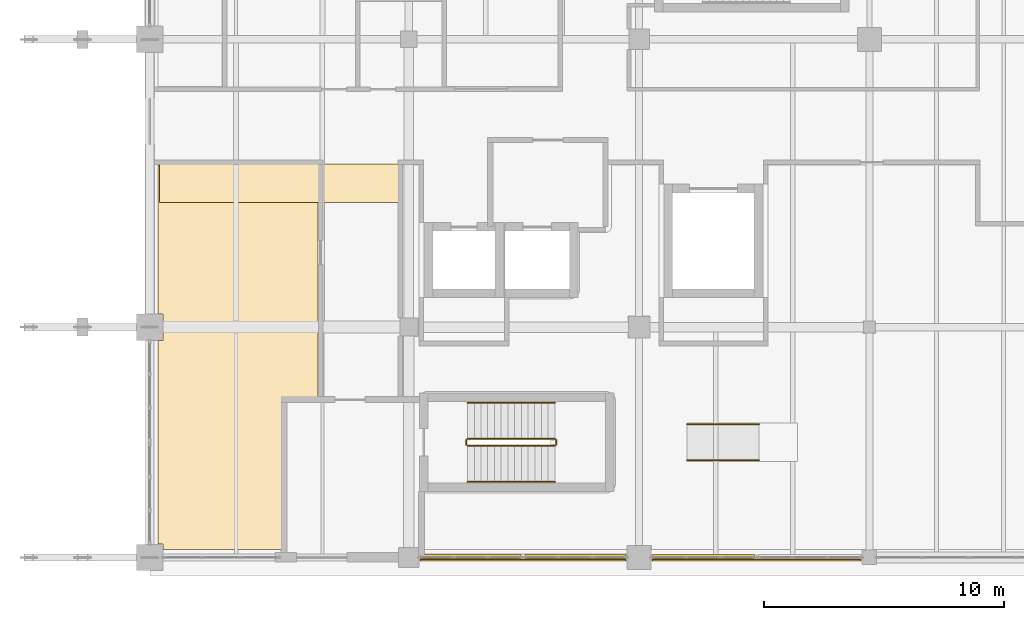
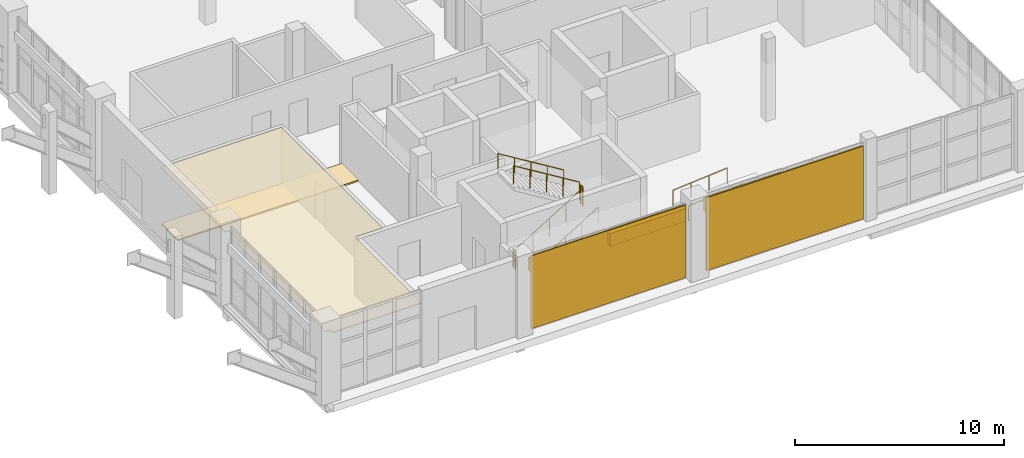
# One storey, part 107 of 121: 8 railings, 5 coverings, 2 shading devices.
"""IFC4 building model written with IfcOpenShell, lengths in metres."""

from ifc_helpers import new_model, si_unit, direction, frame, origin, origin_2d, place, context, subcontext, project, spatial, polyline, rectangle, circle, outline, extrude, material, layer, layer_set, type_object, element, save


model = new_model("IFC4")

# Units and contexts
model_context = context("Model", 3, precision=1e-05, world=origin(), true_north=direction((0.0, 1.0)))
body_context = subcontext(model_context, "Body", "Model", "MODEL_VIEW")
ifc_project = project(units=[si_unit("LENGTHUNIT", "METRE"), si_unit("AREAUNIT", "SQUARE_METRE"), si_unit("VOLUMEUNIT", "CUBIC_METRE"), si_unit("PLANEANGLEUNIT", "RADIAN"), si_unit("MASSUNIT", "GRAM", prefix="KILO")], contexts=[model_context])

# Site, building, storey
site_placement = place(None, origin())
site = spatial("IfcSite", under=ifc_project, at=site_placement, CompositionType="ELEMENT")
building_placement = place(site_placement, origin())
building = spatial("IfcBuilding", under=site, at=building_placement, Name="Zereglee Splitstone Museum", CompositionType="ELEMENT")
storey_placement = place(building_placement, origin())
storey = spatial("IfcBuildingStorey", under=building, at=storey_placement, Name="L00", CompositionType="ELEMENT", Elevation=0.0)

# Coverings
ifc_material_1 = material(Name="Perforated acoustic gypsum board ceiling", Category="masonry")
ifc_layer_1 = layer(ifc_material_1, 0.044921875)
ifc_layer_set_1 = layer_set([ifc_layer_1], Name="Perforated acoustic gypsum board ceiling")
covering_type_1 = type_object("IfcCoveringType", Name="CLG-02", PredefinedType="CEILING", material=ifc_layer_set_1)
covering_1_placement = place(storey_placement, frame((0.0, 0.0, 3.3349609375)))
element("IfcCovering", 1, at=covering_1_placement, inside=storey, type_object=covering_type_1, Name="Acoustic Ceiling L00-002", PredefinedType="CEILING", context=body_context, shape_type="SweptSolid", body=[
    extrude(outline(polyline([(16.6201171875, 6.679931640625), (15.280029296875, 6.679931640625), (15.279052734375, 6.679931640625), (15.26318359375, 6.67919921875), (15.261474609375, 6.678955078125), (15.245849609375, 6.6767578125), (15.243896484375, 6.67626953125), (15.228759765625, 6.672607421875), (15.226806640625, 6.671875), (15.2119140625, 6.666748046875), (15.210205078125, 6.666015625), (15.196044921875, 6.6591796875), (15.1943359375, 6.658203125), (15.180908203125, 6.650146484375), (15.17919921875, 6.649169921875), (15.16650390625, 6.6396484375), (15.1650390625, 6.638427734375), (15.1533203125, 6.6279296875), (15.152099609375, 6.626708984375), (15.1416015625, 6.614990234375), (15.140380859375, 6.61328125), (15.130859375, 6.600830078125), (15.1298828125, 6.59912109375), (15.12158203125, 6.585693359375), (15.120849609375, 6.583984375), (15.114013671875, 6.56982421875), (15.11328125, 6.568115234375), (15.108154296875, 6.55322265625), (15.107421875, 6.55126953125), (15.103759765625, 6.5361328125), (15.103271484375, 6.5341796875), (15.10107421875, 6.5185546875), (15.100830078125, 6.5166015625), (15.10009765625, 6.5009765625), (15.10009765625, 6.5), (15.10009765625, 0.340087890625), (10.157958984375, 0.340087890625), (10.157958984375, 0.55810546875), (9.93994140625, 0.55810546875), (9.93994140625, 9.0419921875), (10.157958984375, 9.0419921875), (10.157958984375, 10.157958984375), (9.93994140625, 10.157958984375), (9.93994140625, 16.3701171875), (16.6201171875, 16.3701171875), (16.6201171875, 6.679931640625)])), origin(), (0.0, 0.0, 1.0), 0.044921875),
])
ifc_material_2 = material(Name="Honed Gobi pale limestone stringcourse and soffit cladding", Category="masonry")
ifc_layer_2 = layer(ifc_material_2, 0.070068359375)
ifc_layer_set_2 = layer_set([ifc_layer_2], Name="Honed Gobi pale limestone stringcourse and soffit cladding")
covering_type_2 = type_object("IfcCoveringType", Name="CL-02", PredefinedType="CLADDING", material=ifc_layer_set_2)
for number, where, z_axis, x_axis, name in (
    (2, (22.977783203125, 0.0, 3.405029296875), (0.0, 0.0, 1.0), (1.0, 0.0, 0.0), "Mughal Carved Clerestory Jaali Frieze RC4-CW-L00-077-1"),
    (3, (27.347412109375, 0.0, 3.385009765625), (0.0, 0.0, 1.0), (1.0, 0.0, 0.0), "Mughal Carved Clerestory Jaali Frieze RC4-CW-L00-077-2"),
):
    element("IfcCovering", number, at=place(storey_placement, frame(where, z_axis=z_axis, x_axis=x_axis)), inside=storey, type_object=covering_type_2, Name=name, PredefinedType="CLADDING", context=body_context, shape_type="SweptSolid", body=[
        extrude(rectangle(XDim=4.2099609375, YDim=0.239990234375, at=origin_2d()), origin(), (0.0, 0.0, 1.0), 0.75),
    ])
covering_2_placement = place(storey_placement, frame((32.68408203125, 0.0, 3.52490234375), z_axis=(0.0, 0.0, 1.0), x_axis=(1.0, 0.0, 0.0)))
element("IfcCovering", 4, at=covering_2_placement, inside=storey, type_object=covering_type_2, Name="Mughal Carved Clerestory Jaali Frieze RC4-CW-L00-078-1", PredefinedType="CLADDING", context=body_context, shape_type="SweptSolid", body=[
    extrude(rectangle(XDim=4.27001953125, YDim=0.239990234375, at=origin_2d()), origin(), (0.0, 0.0, 1.0), 0.75),
])

# Railings
ifc_material_3 = material(Name="Painted steel S355J2 post-and-baluster guard", Category="steel")
railing_type_1 = type_object("IfcRailingType", Name="GR-03", PredefinedType="BALUSTRADE", material=ifc_material_3)
railing_1_placement = place(storey_placement, frame((22.85009765625, 4.64990234375, 0.17138671875)))
element("IfcRailing", 5, at=railing_1_placement, inside=storey, type_object=railing_type_1, Name="L00 ST-01 stair guard 1", PredefinedType="BALUSTRADE", context=body_context, shape_type="SweptSolid", body=[
    extrude(circle(Radius=0.02392578125, at=origin_2d()), frame((0.0, 0.0, 1.076416015625), z_axis=(0.852850264322, 0.0, 0.5221555579), x_axis=(0.0, 1.0, 0.0)), (0.0, 0.0, 1.0), 4.267822265625),
    extrude(circle(Radius=0.02099609375, at=origin_2d()), origin(), (0.0, 0.0, 1.0), 1.052001953125),
    extrude(circle(Radius=0.02099609375, at=origin_2d()), frame((0.909912109375, 0.0, 0.55712890625)), (0.0, 0.0, 1.0), 1.052001953125),
    extrude(circle(Radius=0.02099609375, at=origin_2d()), frame((1.81982421875, 0.0, 1.1142578125)), (0.0, 0.0, 1.0), 1.052001953125),
    extrude(circle(Radius=0.02099609375, at=origin_2d()), frame((2.72998046875, 0.0, 1.67138671875)), (0.0, 0.0, 1.0), 1.052001953125),
    extrude(circle(Radius=0.02099609375, at=origin_2d()), frame((3.639892578125, 0.0, 2.228515625)), (0.0, 0.0, 1.0), 1.052001953125),
])
railing_2_placement = place(storey_placement, frame((26.5400390625, 4.699951171875, 2.39990234375)))
element("IfcRailing", 6, at=railing_2_placement, inside=storey, type_object=railing_type_1, Name="L00 ST-01 stair guard 2", PredefinedType="BALUSTRADE", context=body_context, shape_type="SweptSolid", body=[
    extrude(circle(Radius=0.02392578125, at=origin_2d()), frame((0.0, 0.0, 1.076416015625), z_axis=(0.0, 1.0, 0.0), x_axis=(-1.0, 0.0, 0.0)), (0.0, 0.0, 1.0), 0.199951171875),
    extrude(circle(Radius=0.02099609375, at=origin_2d()), origin(), (0.0, 0.0, 1.0), 1.052001953125),
    extrude(circle(Radius=0.02099609375, at=origin_2d()), frame((0.0, 0.199951171875, 0.0)), (0.0, 0.0, 1.0), 1.052001953125),
])
railing_3_placement = place(storey_placement, frame((26.489990234375, 4.949951171875, 2.571533203125)))
element("IfcRailing", 7, at=railing_3_placement, inside=storey, type_object=railing_type_1, Name="L00 ST-01 stair guard 3", PredefinedType="BALUSTRADE", context=body_context, shape_type="SweptSolid", body=[
    extrude(circle(Radius=0.02392578125, at=origin_2d()), frame((0.0, 0.0, 1.076416015625), z_axis=(-0.852850264322, 0.0, 0.5221555579), x_axis=(0.0, -1.0, 0.0)), (0.0, 0.0, 1.0), 4.267822265625),
    extrude(circle(Radius=0.02099609375, at=origin_2d()), origin(), (0.0, 0.0, 1.0), 1.052001953125),
    extrude(circle(Radius=0.02099609375, at=origin_2d()), frame((-0.909912109375, 0.0, 0.55712890625)), (0.0, 0.0, 1.0), 1.052001953125),
    extrude(circle(Radius=0.02099609375, at=origin_2d()), frame((-1.81982421875, 0.0, 1.1142578125)), (0.0, 0.0, 1.0), 1.052001953125),
    extrude(circle(Radius=0.02099609375, at=origin_2d()), frame((-2.72998046875, 0.0, 1.67138671875)), (0.0, 0.0, 1.0), 1.052001953125),
    extrude(circle(Radius=0.02099609375, at=origin_2d()), frame((-3.639892578125, 0.0, 2.228515625)), (0.0, 0.0, 1.0), 1.052001953125),
])
railing_4_placement = place(storey_placement, frame((22.800048828125, 4.699951171875, 0.0)))
element("IfcRailing", 8, at=railing_4_placement, inside=storey, type_object=railing_type_1, Name="L00 ST-01 stair guard 4", PredefinedType="BALUSTRADE", context=body_context, shape_type="SweptSolid", body=[
    extrude(circle(Radius=0.02392578125, at=origin_2d()), frame((0.0, 0.0, 1.076416015625), z_axis=(0.0, 1.0, 0.0), x_axis=(-1.0, 0.0, 0.0)), (0.0, 0.0, 1.0), 0.199951171875),
    extrude(circle(Radius=0.02099609375, at=origin_2d()), origin(), (0.0, 0.0, 1.0), 1.052001953125),
    extrude(circle(Radius=0.02099609375, at=origin_2d()), frame((0.0, 0.199951171875, 0.0)), (0.0, 0.0, 1.0), 1.052001953125),
])
ifc_material_4 = material(Name="Architectural bronze tubular handrail", Category="steel")
railing_type_2 = type_object("IfcRailingType", Name="HR-01", PredefinedType="HANDRAIL", material=ifc_material_4)
railing_5_placement = place(storey_placement, frame((22.85009765625, 3.14990234375, 0.17138671875)))
element("IfcRailing", 9, at=railing_5_placement, inside=storey, type_object=railing_type_2, Name="L00 ST-01 stair handrail 1", PredefinedType="HANDRAIL", context=body_context, shape_type="SweptSolid", body=[
    extrude(circle(Radius=0.02392578125, at=origin_2d()), frame((0.0, 0.0, 0.8759765625), z_axis=(0.852850264322, 0.0, 0.5221555579), x_axis=(0.0, 1.0, 0.0)), (0.0, 0.0, 1.0), 4.267822265625),
    extrude(circle(Radius=0.02099609375, at=origin_2d()), origin(), (0.0, 0.0, 1.0), 0.851806640625),
    extrude(circle(Radius=0.02099609375, at=origin_2d()), frame((0.909912109375, 0.0, 0.55712890625)), (0.0, 0.0, 1.0), 0.851806640625),
    extrude(circle(Radius=0.02099609375, at=origin_2d()), frame((1.81982421875, 0.0, 1.1142578125)), (0.0, 0.0, 1.0), 0.851806640625),
    extrude(circle(Radius=0.02099609375, at=origin_2d()), frame((2.72998046875, 0.0, 1.67138671875)), (0.0, 0.0, 1.0), 0.851806640625),
    extrude(circle(Radius=0.02099609375, at=origin_2d()), frame((3.639892578125, 0.0, 2.228515625)), (0.0, 0.0, 1.0), 0.851806640625),
])
railing_6_placement = place(storey_placement, frame((26.489990234375, 6.449951171875, 2.571533203125)))
element("IfcRailing", 10, at=railing_6_placement, inside=storey, type_object=railing_type_2, Name="L00 ST-01 stair handrail 2", PredefinedType="HANDRAIL", context=body_context, shape_type="SweptSolid", body=[
    extrude(circle(Radius=0.02392578125, at=origin_2d()), frame((0.0, 0.0, 0.8759765625), z_axis=(-0.852850264322, 0.0, 0.5221555579), x_axis=(0.0, -1.0, 0.0)), (0.0, 0.0, 1.0), 4.267822265625),
    extrude(circle(Radius=0.02099609375, at=origin_2d()), origin(), (0.0, 0.0, 1.0), 0.851806640625),
    extrude(circle(Radius=0.02099609375, at=origin_2d()), frame((-0.909912109375, 0.0, 0.55712890625)), (0.0, 0.0, 1.0), 0.851806640625),
    extrude(circle(Radius=0.02099609375, at=origin_2d()), frame((-1.81982421875, 0.0, 1.1142578125)), (0.0, 0.0, 1.0), 0.851806640625),
    extrude(circle(Radius=0.02099609375, at=origin_2d()), frame((-2.72998046875, 0.0, 1.67138671875)), (0.0, 0.0, 1.0), 0.851806640625),
    extrude(circle(Radius=0.02099609375, at=origin_2d()), frame((-3.639892578125, 0.0, 2.228515625)), (0.0, 0.0, 1.0), 0.851806640625),
])
for number, where, name in (
    (11, (32.0, 5.550048828125, 0.0), "Pishtaq Foyer Accessible Ramp AR-1 Handrail L"),
    (12, (32.0, 4.050048828125, 0.0), "Pishtaq Foyer Accessible Ramp AR-1 Handrail R"),
):
    element("IfcRailing", number, at=place(storey_placement, frame(where)), inside=storey, type_object=railing_type_2, Name=name, PredefinedType="HANDRAIL", context=body_context, shape_type="SweptSolid", body=[
        extrude(circle(Radius=0.02392578125, at=origin_2d()), frame((0.0, 0.0, 0.8759765625), z_axis=(0.996545758245, 0.0, 0.083045479854), x_axis=(0.0, 1.0, 0.0)), (0.0, 0.0, 1.0), 3.010498046875),
        extrude(circle(Radius=0.02099609375, at=origin_2d()), origin(), (0.0, 0.0, 1.0), 0.851806640625),
        extrude(circle(Radius=0.02099609375, at=origin_2d()), frame((1.0, 0.0, 0.083251953125)), (0.0, 0.0, 1.0), 0.851806640625),
        extrude(circle(Radius=0.02099609375, at=origin_2d()), frame((2.0, 0.0, 0.166748046875)), (0.0, 0.0, 1.0), 0.851806640625),
        extrude(circle(Radius=0.02099609375, at=origin_2d()), frame((3.0, 0.0, 0.25)), (0.0, 0.0, 1.0), 0.851806640625),
    ])

# Shading devices
ifc_material_5 = material(Name="Patinated architectural bronze CuSn8 geometric jali screen")
ifc_layer_3 = layer(ifc_material_5, 0.06005859375)
ifc_layer_set_3 = layer_set([ifc_layer_3], Name="Patinated architectural bronze CuSn8 geometric jali screen")
shading_device_type = type_object("IfcShadingDeviceType", Name="JL-01", PredefinedType="USERDEFINED", material=ifc_layer_set_3)
shading_device_1_placement = place(storey_placement, frame((20.883056640625, -0.080078125, 0.1201171875), z_axis=(0.0, -1.0, 0.0), x_axis=(1.0, 0.0, 0.0)))
element("IfcShadingDevice", 13, at=shading_device_1_placement, inside=storey, type_object=shading_device_type, Name="Bronze Mughal Jali Screen 07", ObjectType="SCREEN", PredefinedType="USERDEFINED", context=body_context, shape_type="SweptSolid", body=[
    extrude(outline(polyline([(0.0, 0.0), (8.558837890625, 0.0), (8.558837890625, 4.259765625), (0.0, 4.259765625), (0.0, 0.0)])), origin(), (0.0, 0.0, 1.0), 0.06005859375),
])
shading_device_2_placement = place(storey_placement, frame((30.55810546875, -0.080078125, 0.1201171875), z_axis=(0.0, -1.0, 0.0), x_axis=(1.0, 0.0, 0.0)))
element("IfcShadingDevice", 14, at=shading_device_2_placement, inside=storey, type_object=shading_device_type, Name="Bronze Mughal Jali Screen 08", ObjectType="SCREEN", PredefinedType="USERDEFINED", context=body_context, shape_type="SweptSolid", body=[
    extrude(outline(polyline([(0.0, 0.0), (8.683837890625, 0.0), (8.683837890625, 4.259765625), (0.0, 4.259765625), (0.0, 0.0)])), origin(), (0.0, 0.0, 1.0), 0.06005859375),
])

# Covering
ifc_material_6 = material(Name="Carved pale Gobi limestone charbagh channel trim", Category="masonry")
ifc_layer_4 = layer(ifc_material_6, 0.080078125)
ifc_layer_set_4 = layer_set([ifc_layer_4], Name="Carved pale Gobi limestone charbagh channel trim")
covering_type_3 = type_object("IfcCoveringType", Name="CHB-01", PredefinedType="FLOORING", material=ifc_layer_set_4)
covering_3_placement = place(storey_placement, origin())
element("IfcCovering", 15, at=covering_3_placement, inside=storey, type_object=covering_type_3, Name="Charbagh Stone Terrace Parterre CHB-FOYER-W1", PredefinedType="FLOORING", context=body_context, shape_type="SweptSolid", body=[
    extrude(outline(polyline([(10.0, 14.800048828125), (20.0, 14.800048828125), (20.0, 16.39990234375), (10.0, 16.39990234375), (10.0, 14.800048828125)])), origin(), (0.0, 0.0, 1.0), 0.080078125),
])

save(model, "model.ifc")
